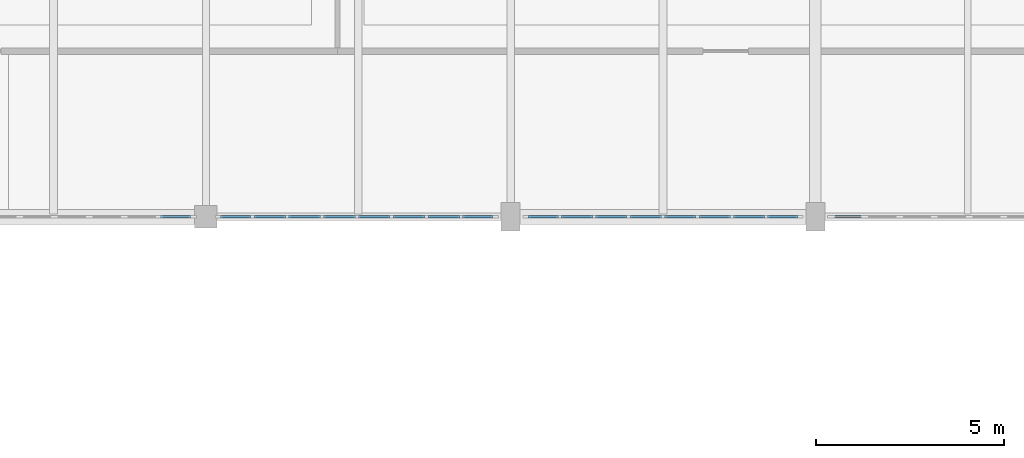
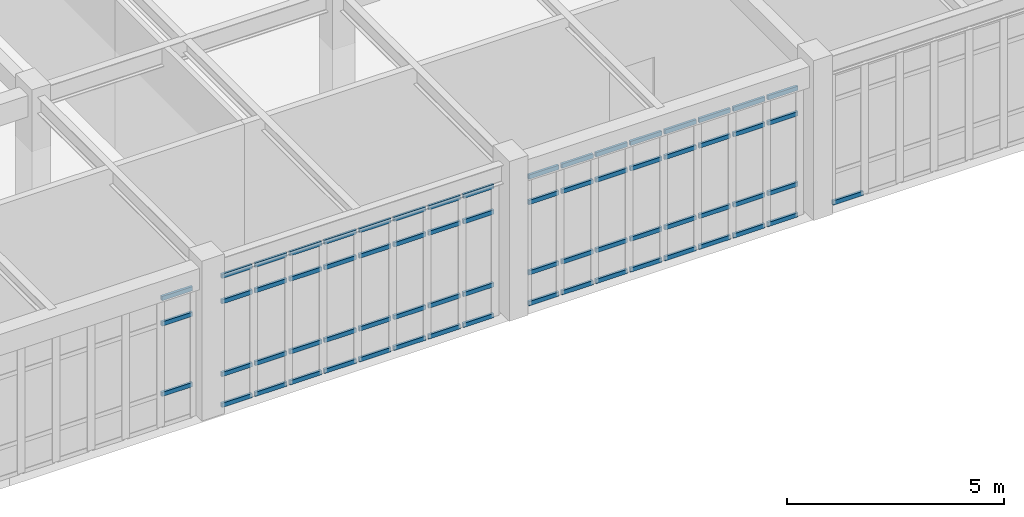
# One storey, part 32 of 67: 68 members, 4 elements without a shape of their own.
"""IFC4 building model written with IfcOpenShell, lengths in metres."""

from ifc_helpers import new_model, si_unit, direction, frame, origin, origin_2d, place, context, subcontext, project, spatial, rectangle, extrude, material, material_profile, profile_set, type_object, element, aggregate, save


model = new_model("IFC4")

# Units and contexts
model_context = context("Model", 3, precision=1e-05, world=origin(), true_north=direction((0.0, 1.0)))
body_context = subcontext(model_context, "Body", "Model", "MODEL_VIEW")
ifc_project = project(units=[si_unit("LENGTHUNIT", "METRE"), si_unit("AREAUNIT", "SQUARE_METRE"), si_unit("VOLUMEUNIT", "CUBIC_METRE"), si_unit("PLANEANGLEUNIT", "RADIAN"), si_unit("MASSUNIT", "GRAM", prefix="KILO")], contexts=[model_context])

# Site, building, storey
site_placement = place(None, origin())
site = spatial("IfcSite", under=ifc_project, at=site_placement, CompositionType="ELEMENT")
building_placement = place(site_placement, origin())
building = spatial("IfcBuilding", under=site, at=building_placement, Name="Tarnveldt Square Police Headquarters", CompositionType="ELEMENT")
storey_placement = place(building_placement, frame((0.0, 0.0, 10.199951171875)))
storey = spatial("IfcBuildingStorey", under=building, at=storey_placement, Name="L02", CompositionType="ELEMENT", Elevation=10.199951171875)

# Curtain wall, members
ifc_material_1 = material(Name="Triple-glazed low-e laminated vision glass", Category="glass")
curtain_wall_type_1 = type_object("IfcCurtainWallType", Name="CW-LB-742x363", PredefinedType="USERDEFINED", material=ifc_material_1)
curtain_wall_1_placement = place(storey_placement, origin())
curtain_wall_1 = element("IfcCurtainWall", 1, at=curtain_wall_1_placement, inside=storey, type_object=curtain_wall_type_1, Name="L02 Curtain Wall CW-L02-115", ObjectType="GLAZED CURTAIN WALL", PredefinedType="USERDEFINED")
ifc_material_2 = material(Name="Thermally broken anodised aluminium 6063-T6", Category="aluminium")
ifc_material_profile = material_profile(ifc_material_2, rectangle(XDim=0.06494140625, YDim=0.1201171875, at=origin_2d()), Name="CW-T65x120")
ifc_profile_set = profile_set([ifc_material_profile], Name="Thermally broken anodised aluminium 6063-T6")
member_type = type_object("IfcMemberType", Name="CWT-65x120", PredefinedType="USERDEFINED", material=ifc_profile_set)
member_1_placement = place(storey_placement, frame((79.794921875, 96.0, 0.900146484375), z_axis=(1.0, 0.0, 0.0), x_axis=(0.0, 1.0, 0.0)))
member_1 = element("IfcMember", 2, at=member_1_placement, type_object=member_type, Name="CW-LB67 transom 8.2", ObjectType="TRANSOM", PredefinedType="USERDEFINED", context=body_context, shape_type="SweptSolid", body=[
    extrude(rectangle(XDim=0.06494140625, YDim=0.1201171875, at=origin_2d()), origin(), (0.0, 0.0, 1.0), 0.815185546875),
])
member_2_placement = place(storey_placement, frame((79.794921875, 96.0, 2.882080078125), z_axis=(1.0, 0.0, 0.0), x_axis=(0.0, 1.0, 0.0)))
member_2 = element("IfcMember", 3, at=member_2_placement, type_object=member_type, Name="CW-LB67 transom 8.3", ObjectType="TRANSOM", PredefinedType="USERDEFINED", context=body_context, shape_type="SweptSolid", body=[
    extrude(rectangle(XDim=0.06494140625, YDim=0.1201171875, at=origin_2d()), origin(), (0.0, 0.0, 1.0), 0.815185546875),
])
member_3_placement = place(storey_placement, frame((79.794921875, 96.0, 3.599609375), z_axis=(1.0, 0.0, 0.0), x_axis=(0.0, 1.0, 0.0)))
member_3 = element("IfcMember", 4, at=member_3_placement, type_object=member_type, Name="CW-LB67 transom 8.4", ObjectType="TRANSOM", PredefinedType="USERDEFINED", context=body_context, shape_type="SweptSolid", body=[
    extrude(rectangle(XDim=0.06494140625, YDim=0.1201171875, at=origin_2d()), origin(), (0.0, 0.0, 1.0), 0.815185546875),
])
aggregate(curtain_wall_1, [member_1, member_2, member_3])

curtain_wall_type_2 = type_object("IfcCurtainWallType", Name="CW-LB-739x370", PredefinedType="USERDEFINED", material=ifc_material_1)
curtain_wall_2_placement = place(storey_placement, origin())
curtain_wall_2 = element("IfcCurtainWall", 5, at=curtain_wall_2_placement, inside=storey, type_object=curtain_wall_type_2, Name="L02 Curtain Wall CW-L02-116", ObjectType="GLAZED CURTAIN WALL", PredefinedType="USERDEFINED")
member_4_placement = place(storey_placement, frame((81.389892578125, 96.0, 0.032470703125), z_axis=(1.0, 0.0, 0.0), x_axis=(0.0, 1.0, 0.0)))
member_4 = element("IfcMember", 6, at=member_4_placement, type_object=member_type, Name="CW-LB68 transom 1.1", ObjectType="TRANSOM", PredefinedType="USERDEFINED", context=body_context, shape_type="SweptSolid", body=[
    extrude(rectangle(XDim=0.06494140625, YDim=0.1201171875, at=origin_2d()), origin(), (0.0, 0.0, 1.0), 0.81201171875),
])
member_5_placement = place(storey_placement, frame((81.389892578125, 96.0, 0.900146484375), z_axis=(1.0, 0.0, 0.0), x_axis=(0.0, 1.0, 0.0)))
member_5 = element("IfcMember", 7, at=member_5_placement, type_object=member_type, Name="CW-LB68 transom 1.2", ObjectType="TRANSOM", PredefinedType="USERDEFINED", context=body_context, shape_type="SweptSolid", body=[
    extrude(rectangle(XDim=0.06494140625, YDim=0.1201171875, at=origin_2d()), origin(), (0.0, 0.0, 1.0), 0.81201171875),
])
member_6_placement = place(storey_placement, frame((81.389892578125, 96.0, 2.948974609375), z_axis=(1.0, 0.0, 0.0), x_axis=(0.0, 1.0, 0.0)))
member_6 = element("IfcMember", 8, at=member_6_placement, type_object=member_type, Name="CW-LB68 transom 1.3", ObjectType="TRANSOM", PredefinedType="USERDEFINED", context=body_context, shape_type="SweptSolid", body=[
    extrude(rectangle(XDim=0.06494140625, YDim=0.1201171875, at=origin_2d()), origin(), (0.0, 0.0, 1.0), 0.81201171875),
])
member_7_placement = place(storey_placement, frame((81.389892578125, 96.0, 3.66650390625), z_axis=(1.0, 0.0, 0.0), x_axis=(0.0, 1.0, 0.0)))
member_7 = element("IfcMember", 9, at=member_7_placement, type_object=member_type, Name="CW-LB68 transom 1.4", ObjectType="TRANSOM", PredefinedType="USERDEFINED", context=body_context, shape_type="SweptSolid", body=[
    extrude(rectangle(XDim=0.06494140625, YDim=0.1201171875, at=origin_2d()), origin(), (0.0, 0.0, 1.0), 0.81201171875),
])
member_8_placement = place(storey_placement, frame((82.27685546875, 96.0, 0.032470703125), z_axis=(1.0, 0.0, 0.0), x_axis=(0.0, 1.0, 0.0)))
member_8 = element("IfcMember", 10, at=member_8_placement, type_object=member_type, Name="CW-LB68 transom 2.1", ObjectType="TRANSOM", PredefinedType="USERDEFINED", context=body_context, shape_type="SweptSolid", body=[
    extrude(rectangle(XDim=0.06494140625, YDim=0.1201171875, at=origin_2d()), origin(), (0.0, 0.0, 1.0), 0.849365234375),
])
member_9_placement = place(storey_placement, frame((82.27685546875, 96.0, 0.900146484375), z_axis=(1.0, 0.0, 0.0), x_axis=(0.0, 1.0, 0.0)))
member_9 = element("IfcMember", 11, at=member_9_placement, type_object=member_type, Name="CW-LB68 transom 2.2", ObjectType="TRANSOM", PredefinedType="USERDEFINED", context=body_context, shape_type="SweptSolid", body=[
    extrude(rectangle(XDim=0.06494140625, YDim=0.1201171875, at=origin_2d()), origin(), (0.0, 0.0, 1.0), 0.849365234375),
])
member_10_placement = place(storey_placement, frame((82.27685546875, 96.0, 2.948974609375), z_axis=(1.0, 0.0, 0.0), x_axis=(0.0, 1.0, 0.0)))
member_10 = element("IfcMember", 12, at=member_10_placement, type_object=member_type, Name="CW-LB68 transom 2.3", ObjectType="TRANSOM", PredefinedType="USERDEFINED", context=body_context, shape_type="SweptSolid", body=[
    extrude(rectangle(XDim=0.06494140625, YDim=0.1201171875, at=origin_2d()), origin(), (0.0, 0.0, 1.0), 0.849365234375),
])
member_11_placement = place(storey_placement, frame((82.27685546875, 96.0, 3.66650390625), z_axis=(1.0, 0.0, 0.0), x_axis=(0.0, 1.0, 0.0)))
member_11 = element("IfcMember", 13, at=member_11_placement, type_object=member_type, Name="CW-LB68 transom 2.4", ObjectType="TRANSOM", PredefinedType="USERDEFINED", context=body_context, shape_type="SweptSolid", body=[
    extrude(rectangle(XDim=0.06494140625, YDim=0.1201171875, at=origin_2d()), origin(), (0.0, 0.0, 1.0), 0.849365234375),
])
member_12_placement = place(storey_placement, frame((83.201171875, 96.0, 0.032470703125), z_axis=(1.0, 0.0, 0.0), x_axis=(0.0, 1.0, 0.0)))
member_12 = element("IfcMember", 14, at=member_12_placement, type_object=member_type, Name="CW-LB68 transom 3.1", ObjectType="TRANSOM", PredefinedType="USERDEFINED", context=body_context, shape_type="SweptSolid", body=[
    extrude(rectangle(XDim=0.06494140625, YDim=0.1201171875, at=origin_2d()), origin(), (0.0, 0.0, 1.0), 0.849365234375),
])
member_13_placement = place(storey_placement, frame((83.201171875, 96.0, 0.900146484375), z_axis=(1.0, 0.0, 0.0), x_axis=(0.0, 1.0, 0.0)))
member_13 = element("IfcMember", 15, at=member_13_placement, type_object=member_type, Name="CW-LB68 transom 3.2", ObjectType="TRANSOM", PredefinedType="USERDEFINED", context=body_context, shape_type="SweptSolid", body=[
    extrude(rectangle(XDim=0.06494140625, YDim=0.1201171875, at=origin_2d()), origin(), (0.0, 0.0, 1.0), 0.849365234375),
])
member_14_placement = place(storey_placement, frame((83.201171875, 96.0, 2.948974609375), z_axis=(1.0, 0.0, 0.0), x_axis=(0.0, 1.0, 0.0)))
member_14 = element("IfcMember", 16, at=member_14_placement, type_object=member_type, Name="CW-LB68 transom 3.3", ObjectType="TRANSOM", PredefinedType="USERDEFINED", context=body_context, shape_type="SweptSolid", body=[
    extrude(rectangle(XDim=0.06494140625, YDim=0.1201171875, at=origin_2d()), origin(), (0.0, 0.0, 1.0), 0.849365234375),
])
member_15_placement = place(storey_placement, frame((83.201171875, 96.0, 3.66650390625), z_axis=(1.0, 0.0, 0.0), x_axis=(0.0, 1.0, 0.0)))
member_15 = element("IfcMember", 17, at=member_15_placement, type_object=member_type, Name="CW-LB68 transom 3.4", ObjectType="TRANSOM", PredefinedType="USERDEFINED", context=body_context, shape_type="SweptSolid", body=[
    extrude(rectangle(XDim=0.06494140625, YDim=0.1201171875, at=origin_2d()), origin(), (0.0, 0.0, 1.0), 0.849365234375),
])
member_16_placement = place(storey_placement, frame((84.125732421875, 96.0, 0.032470703125), z_axis=(1.0, 0.0, 0.0), x_axis=(0.0, 1.0, 0.0)))
member_16 = element("IfcMember", 18, at=member_16_placement, type_object=member_type, Name="CW-LB68 transom 4.1", ObjectType="TRANSOM", PredefinedType="USERDEFINED", context=body_context, shape_type="SweptSolid", body=[
    extrude(rectangle(XDim=0.06494140625, YDim=0.1201171875, at=origin_2d()), origin(), (0.0, 0.0, 1.0), 0.849365234375),
])
member_17_placement = place(storey_placement, frame((84.125732421875, 96.0, 0.900146484375), z_axis=(1.0, 0.0, 0.0), x_axis=(0.0, 1.0, 0.0)))
member_17 = element("IfcMember", 19, at=member_17_placement, type_object=member_type, Name="CW-LB68 transom 4.2", ObjectType="TRANSOM", PredefinedType="USERDEFINED", context=body_context, shape_type="SweptSolid", body=[
    extrude(rectangle(XDim=0.06494140625, YDim=0.1201171875, at=origin_2d()), origin(), (0.0, 0.0, 1.0), 0.849365234375),
])
member_18_placement = place(storey_placement, frame((84.125732421875, 96.0, 2.948974609375), z_axis=(1.0, 0.0, 0.0), x_axis=(0.0, 1.0, 0.0)))
member_18 = element("IfcMember", 20, at=member_18_placement, type_object=member_type, Name="CW-LB68 transom 4.3", ObjectType="TRANSOM", PredefinedType="USERDEFINED", context=body_context, shape_type="SweptSolid", body=[
    extrude(rectangle(XDim=0.06494140625, YDim=0.1201171875, at=origin_2d()), origin(), (0.0, 0.0, 1.0), 0.849365234375),
])
member_19_placement = place(storey_placement, frame((84.125732421875, 96.0, 3.66650390625), z_axis=(1.0, 0.0, 0.0), x_axis=(0.0, 1.0, 0.0)))
member_19 = element("IfcMember", 21, at=member_19_placement, type_object=member_type, Name="CW-LB68 transom 4.4", ObjectType="TRANSOM", PredefinedType="USERDEFINED", context=body_context, shape_type="SweptSolid", body=[
    extrude(rectangle(XDim=0.06494140625, YDim=0.1201171875, at=origin_2d()), origin(), (0.0, 0.0, 1.0), 0.849365234375),
])
member_20_placement = place(storey_placement, frame((85.050048828125, 96.0, 0.032470703125), z_axis=(1.0, 0.0, 0.0), x_axis=(0.0, 1.0, 0.0)))
member_20 = element("IfcMember", 22, at=member_20_placement, type_object=member_type, Name="CW-LB68 transom 5.1", ObjectType="TRANSOM", PredefinedType="USERDEFINED", context=body_context, shape_type="SweptSolid", body=[
    extrude(rectangle(XDim=0.06494140625, YDim=0.1201171875, at=origin_2d()), origin(), (0.0, 0.0, 1.0), 0.849365234375),
])
member_21_placement = place(storey_placement, frame((85.050048828125, 96.0, 0.900146484375), z_axis=(1.0, 0.0, 0.0), x_axis=(0.0, 1.0, 0.0)))
member_21 = element("IfcMember", 23, at=member_21_placement, type_object=member_type, Name="CW-LB68 transom 5.2", ObjectType="TRANSOM", PredefinedType="USERDEFINED", context=body_context, shape_type="SweptSolid", body=[
    extrude(rectangle(XDim=0.06494140625, YDim=0.1201171875, at=origin_2d()), origin(), (0.0, 0.0, 1.0), 0.849365234375),
])
member_22_placement = place(storey_placement, frame((85.050048828125, 96.0, 2.948974609375), z_axis=(1.0, 0.0, 0.0), x_axis=(0.0, 1.0, 0.0)))
member_22 = element("IfcMember", 24, at=member_22_placement, type_object=member_type, Name="CW-LB68 transom 5.3", ObjectType="TRANSOM", PredefinedType="USERDEFINED", context=body_context, shape_type="SweptSolid", body=[
    extrude(rectangle(XDim=0.06494140625, YDim=0.1201171875, at=origin_2d()), origin(), (0.0, 0.0, 1.0), 0.849365234375),
])
member_23_placement = place(storey_placement, frame((85.050048828125, 96.0, 3.66650390625), z_axis=(1.0, 0.0, 0.0), x_axis=(0.0, 1.0, 0.0)))
member_23 = element("IfcMember", 25, at=member_23_placement, type_object=member_type, Name="CW-LB68 transom 5.4", ObjectType="TRANSOM", PredefinedType="USERDEFINED", context=body_context, shape_type="SweptSolid", body=[
    extrude(rectangle(XDim=0.06494140625, YDim=0.1201171875, at=origin_2d()), origin(), (0.0, 0.0, 1.0), 0.849365234375),
])
member_24_placement = place(storey_placement, frame((85.974365234375, 96.0, 0.032470703125), z_axis=(1.0, 0.0, 0.0), x_axis=(0.0, 1.0, 0.0)))
member_24 = element("IfcMember", 26, at=member_24_placement, type_object=member_type, Name="CW-LB68 transom 6.1", ObjectType="TRANSOM", PredefinedType="USERDEFINED", context=body_context, shape_type="SweptSolid", body=[
    extrude(rectangle(XDim=0.06494140625, YDim=0.1201171875, at=origin_2d()), origin(), (0.0, 0.0, 1.0), 0.849365234375),
])
member_25_placement = place(storey_placement, frame((85.974365234375, 96.0, 0.900146484375), z_axis=(1.0, 0.0, 0.0), x_axis=(0.0, 1.0, 0.0)))
member_25 = element("IfcMember", 27, at=member_25_placement, type_object=member_type, Name="CW-LB68 transom 6.2", ObjectType="TRANSOM", PredefinedType="USERDEFINED", context=body_context, shape_type="SweptSolid", body=[
    extrude(rectangle(XDim=0.06494140625, YDim=0.1201171875, at=origin_2d()), origin(), (0.0, 0.0, 1.0), 0.849365234375),
])
member_26_placement = place(storey_placement, frame((85.974365234375, 96.0, 2.948974609375), z_axis=(1.0, 0.0, 0.0), x_axis=(0.0, 1.0, 0.0)))
member_26 = element("IfcMember", 28, at=member_26_placement, type_object=member_type, Name="CW-LB68 transom 6.3", ObjectType="TRANSOM", PredefinedType="USERDEFINED", context=body_context, shape_type="SweptSolid", body=[
    extrude(rectangle(XDim=0.06494140625, YDim=0.1201171875, at=origin_2d()), origin(), (0.0, 0.0, 1.0), 0.849365234375),
])
member_27_placement = place(storey_placement, frame((85.974365234375, 96.0, 3.66650390625), z_axis=(1.0, 0.0, 0.0), x_axis=(0.0, 1.0, 0.0)))
member_27 = element("IfcMember", 29, at=member_27_placement, type_object=member_type, Name="CW-LB68 transom 6.4", ObjectType="TRANSOM", PredefinedType="USERDEFINED", context=body_context, shape_type="SweptSolid", body=[
    extrude(rectangle(XDim=0.06494140625, YDim=0.1201171875, at=origin_2d()), origin(), (0.0, 0.0, 1.0), 0.849365234375),
])
member_28_placement = place(storey_placement, frame((86.898681640625, 96.0, 0.032470703125), z_axis=(1.0, 0.0, 0.0), x_axis=(0.0, 1.0, 0.0)))
member_28 = element("IfcMember", 30, at=member_28_placement, type_object=member_type, Name="CW-LB68 transom 7.1", ObjectType="TRANSOM", PredefinedType="USERDEFINED", context=body_context, shape_type="SweptSolid", body=[
    extrude(rectangle(XDim=0.06494140625, YDim=0.1201171875, at=origin_2d()), origin(), (0.0, 0.0, 1.0), 0.849365234375),
])
member_29_placement = place(storey_placement, frame((86.898681640625, 96.0, 0.900146484375), z_axis=(1.0, 0.0, 0.0), x_axis=(0.0, 1.0, 0.0)))
member_29 = element("IfcMember", 31, at=member_29_placement, type_object=member_type, Name="CW-LB68 transom 7.2", ObjectType="TRANSOM", PredefinedType="USERDEFINED", context=body_context, shape_type="SweptSolid", body=[
    extrude(rectangle(XDim=0.06494140625, YDim=0.1201171875, at=origin_2d()), origin(), (0.0, 0.0, 1.0), 0.849365234375),
])
member_30_placement = place(storey_placement, frame((86.898681640625, 96.0, 2.948974609375), z_axis=(1.0, 0.0, 0.0), x_axis=(0.0, 1.0, 0.0)))
member_30 = element("IfcMember", 32, at=member_30_placement, type_object=member_type, Name="CW-LB68 transom 7.3", ObjectType="TRANSOM", PredefinedType="USERDEFINED", context=body_context, shape_type="SweptSolid", body=[
    extrude(rectangle(XDim=0.06494140625, YDim=0.1201171875, at=origin_2d()), origin(), (0.0, 0.0, 1.0), 0.849365234375),
])
member_31_placement = place(storey_placement, frame((86.898681640625, 96.0, 3.66650390625), z_axis=(1.0, 0.0, 0.0), x_axis=(0.0, 1.0, 0.0)))
member_31 = element("IfcMember", 33, at=member_31_placement, type_object=member_type, Name="CW-LB68 transom 7.4", ObjectType="TRANSOM", PredefinedType="USERDEFINED", context=body_context, shape_type="SweptSolid", body=[
    extrude(rectangle(XDim=0.06494140625, YDim=0.1201171875, at=origin_2d()), origin(), (0.0, 0.0, 1.0), 0.849365234375),
])
member_32_placement = place(storey_placement, frame((87.8232421875, 96.0, 0.032470703125), z_axis=(1.0, 0.0, 0.0), x_axis=(0.0, 1.0, 0.0)))
member_32 = element("IfcMember", 34, at=member_32_placement, type_object=member_type, Name="CW-LB68 transom 8.1", ObjectType="TRANSOM", PredefinedType="USERDEFINED", context=body_context, shape_type="SweptSolid", body=[
    extrude(rectangle(XDim=0.06494140625, YDim=0.1201171875, at=origin_2d()), origin(), (0.0, 0.0, 1.0), 0.811767578125),
])
member_33_placement = place(storey_placement, frame((87.8232421875, 96.0, 0.900146484375), z_axis=(1.0, 0.0, 0.0), x_axis=(0.0, 1.0, 0.0)))
member_33 = element("IfcMember", 35, at=member_33_placement, type_object=member_type, Name="CW-LB68 transom 8.2", ObjectType="TRANSOM", PredefinedType="USERDEFINED", context=body_context, shape_type="SweptSolid", body=[
    extrude(rectangle(XDim=0.06494140625, YDim=0.1201171875, at=origin_2d()), origin(), (0.0, 0.0, 1.0), 0.811767578125),
])
member_34_placement = place(storey_placement, frame((87.8232421875, 96.0, 2.948974609375), z_axis=(1.0, 0.0, 0.0), x_axis=(0.0, 1.0, 0.0)))
member_34 = element("IfcMember", 36, at=member_34_placement, type_object=member_type, Name="CW-LB68 transom 8.3", ObjectType="TRANSOM", PredefinedType="USERDEFINED", context=body_context, shape_type="SweptSolid", body=[
    extrude(rectangle(XDim=0.06494140625, YDim=0.1201171875, at=origin_2d()), origin(), (0.0, 0.0, 1.0), 0.811767578125),
])
member_35_placement = place(storey_placement, frame((87.8232421875, 96.0, 3.66650390625), z_axis=(1.0, 0.0, 0.0), x_axis=(0.0, 1.0, 0.0)))
member_35 = element("IfcMember", 37, at=member_35_placement, type_object=member_type, Name="CW-LB68 transom 8.4", ObjectType="TRANSOM", PredefinedType="USERDEFINED", context=body_context, shape_type="SweptSolid", body=[
    extrude(rectangle(XDim=0.06494140625, YDim=0.1201171875, at=origin_2d()), origin(), (0.0, 0.0, 1.0), 0.811767578125),
])
aggregate(curtain_wall_2, [member_4, member_5, member_6, member_7, member_8, member_9, member_10, member_11, member_12, member_13, member_14, member_15, member_16, member_17, member_18, member_19, member_20, member_21, member_22, member_23, member_24, member_25, member_26, member_27, member_28, member_29, member_30, member_31, member_32, member_33, member_34, member_35])

curtain_wall_type_3 = type_object("IfcCurtainWallType", Name="CW-LB-732x363", PredefinedType="USERDEFINED", material=ifc_material_1)
curtain_wall_3_placement = place(storey_placement, origin())
curtain_wall_3 = element("IfcCurtainWall", 38, at=curtain_wall_3_placement, inside=storey, type_object=curtain_wall_type_3, Name="L02 Curtain Wall CW-L02-117", ObjectType="GLAZED CURTAIN WALL", PredefinedType="USERDEFINED")
member_36_placement = place(storey_placement, frame((89.56494140625, 96.0, 0.032470703125), z_axis=(1.0, 0.0, 0.0), x_axis=(0.0, 1.0, 0.0)))
member_36 = element("IfcMember", 39, at=member_36_placement, type_object=member_type, Name="CW-LB69 transom 1.1", ObjectType="TRANSOM", PredefinedType="USERDEFINED", context=body_context, shape_type="SweptSolid", body=[
    extrude(rectangle(XDim=0.06494140625, YDim=0.1201171875, at=origin_2d()), origin(), (0.0, 0.0, 1.0), 0.802490234375),
])
member_37_placement = place(storey_placement, frame((89.56494140625, 96.0, 0.900146484375), z_axis=(1.0, 0.0, 0.0), x_axis=(0.0, 1.0, 0.0)))
member_37 = element("IfcMember", 40, at=member_37_placement, type_object=member_type, Name="CW-LB69 transom 1.2", ObjectType="TRANSOM", PredefinedType="USERDEFINED", context=body_context, shape_type="SweptSolid", body=[
    extrude(rectangle(XDim=0.06494140625, YDim=0.1201171875, at=origin_2d()), origin(), (0.0, 0.0, 1.0), 0.802490234375),
])
member_38_placement = place(storey_placement, frame((89.56494140625, 96.0, 2.882080078125), z_axis=(1.0, 0.0, 0.0), x_axis=(0.0, 1.0, 0.0)))
member_38 = element("IfcMember", 41, at=member_38_placement, type_object=member_type, Name="CW-LB69 transom 1.3", ObjectType="TRANSOM", PredefinedType="USERDEFINED", context=body_context, shape_type="SweptSolid", body=[
    extrude(rectangle(XDim=0.06494140625, YDim=0.1201171875, at=origin_2d()), origin(), (0.0, 0.0, 1.0), 0.802490234375),
])
member_39_placement = place(storey_placement, frame((89.56494140625, 96.0, 3.599609375), z_axis=(1.0, 0.0, 0.0), x_axis=(0.0, 1.0, 0.0)))
member_39 = element("IfcMember", 42, at=member_39_placement, type_object=member_type, Name="CW-LB69 transom 1.4", ObjectType="TRANSOM", PredefinedType="USERDEFINED", context=body_context, shape_type="SweptSolid", body=[
    extrude(rectangle(XDim=0.06494140625, YDim=0.1201171875, at=origin_2d()), origin(), (0.0, 0.0, 1.0), 0.802490234375),
])
member_40_placement = place(storey_placement, frame((90.4423828125, 96.0, 0.032470703125), z_axis=(1.0, 0.0, 0.0), x_axis=(0.0, 1.0, 0.0)))
member_40 = element("IfcMember", 43, at=member_40_placement, type_object=member_type, Name="CW-LB69 transom 2.1", ObjectType="TRANSOM", PredefinedType="USERDEFINED", context=body_context, shape_type="SweptSolid", body=[
    extrude(rectangle(XDim=0.06494140625, YDim=0.1201171875, at=origin_2d()), origin(), (0.0, 0.0, 1.0), 0.840087890625),
])
member_41_placement = place(storey_placement, frame((90.4423828125, 96.0, 0.900146484375), z_axis=(1.0, 0.0, 0.0), x_axis=(0.0, 1.0, 0.0)))
member_41 = element("IfcMember", 44, at=member_41_placement, type_object=member_type, Name="CW-LB69 transom 2.2", ObjectType="TRANSOM", PredefinedType="USERDEFINED", context=body_context, shape_type="SweptSolid", body=[
    extrude(rectangle(XDim=0.06494140625, YDim=0.1201171875, at=origin_2d()), origin(), (0.0, 0.0, 1.0), 0.840087890625),
])
member_42_placement = place(storey_placement, frame((90.4423828125, 96.0, 2.882080078125), z_axis=(1.0, 0.0, 0.0), x_axis=(0.0, 1.0, 0.0)))
member_42 = element("IfcMember", 45, at=member_42_placement, type_object=member_type, Name="CW-LB69 transom 2.3", ObjectType="TRANSOM", PredefinedType="USERDEFINED", context=body_context, shape_type="SweptSolid", body=[
    extrude(rectangle(XDim=0.06494140625, YDim=0.1201171875, at=origin_2d()), origin(), (0.0, 0.0, 1.0), 0.840087890625),
])
member_43_placement = place(storey_placement, frame((90.4423828125, 96.0, 3.599609375), z_axis=(1.0, 0.0, 0.0), x_axis=(0.0, 1.0, 0.0)))
member_43 = element("IfcMember", 46, at=member_43_placement, type_object=member_type, Name="CW-LB69 transom 2.4", ObjectType="TRANSOM", PredefinedType="USERDEFINED", context=body_context, shape_type="SweptSolid", body=[
    extrude(rectangle(XDim=0.06494140625, YDim=0.1201171875, at=origin_2d()), origin(), (0.0, 0.0, 1.0), 0.840087890625),
])
member_44_placement = place(storey_placement, frame((91.357421875, 96.0, 0.032470703125), z_axis=(1.0, 0.0, 0.0), x_axis=(0.0, 1.0, 0.0)))
member_44 = element("IfcMember", 47, at=member_44_placement, type_object=member_type, Name="CW-LB69 transom 3.1", ObjectType="TRANSOM", PredefinedType="USERDEFINED", context=body_context, shape_type="SweptSolid", body=[
    extrude(rectangle(XDim=0.06494140625, YDim=0.1201171875, at=origin_2d()), origin(), (0.0, 0.0, 1.0), 0.840087890625),
])
member_45_placement = place(storey_placement, frame((91.357421875, 96.0, 0.900146484375), z_axis=(1.0, 0.0, 0.0), x_axis=(0.0, 1.0, 0.0)))
member_45 = element("IfcMember", 48, at=member_45_placement, type_object=member_type, Name="CW-LB69 transom 3.2", ObjectType="TRANSOM", PredefinedType="USERDEFINED", context=body_context, shape_type="SweptSolid", body=[
    extrude(rectangle(XDim=0.06494140625, YDim=0.1201171875, at=origin_2d()), origin(), (0.0, 0.0, 1.0), 0.840087890625),
])
member_46_placement = place(storey_placement, frame((91.357421875, 96.0, 2.882080078125), z_axis=(1.0, 0.0, 0.0), x_axis=(0.0, 1.0, 0.0)))
member_46 = element("IfcMember", 49, at=member_46_placement, type_object=member_type, Name="CW-LB69 transom 3.3", ObjectType="TRANSOM", PredefinedType="USERDEFINED", context=body_context, shape_type="SweptSolid", body=[
    extrude(rectangle(XDim=0.06494140625, YDim=0.1201171875, at=origin_2d()), origin(), (0.0, 0.0, 1.0), 0.840087890625),
])
member_47_placement = place(storey_placement, frame((91.357421875, 96.0, 3.599609375), z_axis=(1.0, 0.0, 0.0), x_axis=(0.0, 1.0, 0.0)))
member_47 = element("IfcMember", 50, at=member_47_placement, type_object=member_type, Name="CW-LB69 transom 3.4", ObjectType="TRANSOM", PredefinedType="USERDEFINED", context=body_context, shape_type="SweptSolid", body=[
    extrude(rectangle(XDim=0.06494140625, YDim=0.1201171875, at=origin_2d()), origin(), (0.0, 0.0, 1.0), 0.840087890625),
])
member_48_placement = place(storey_placement, frame((92.2724609375, 96.0, 0.032470703125), z_axis=(1.0, 0.0, 0.0), x_axis=(0.0, 1.0, 0.0)))
member_48 = element("IfcMember", 51, at=member_48_placement, type_object=member_type, Name="CW-LB69 transom 4.1", ObjectType="TRANSOM", PredefinedType="USERDEFINED", context=body_context, shape_type="SweptSolid", body=[
    extrude(rectangle(XDim=0.06494140625, YDim=0.1201171875, at=origin_2d()), origin(), (0.0, 0.0, 1.0), 0.840087890625),
])
member_49_placement = place(storey_placement, frame((92.2724609375, 96.0, 0.900146484375), z_axis=(1.0, 0.0, 0.0), x_axis=(0.0, 1.0, 0.0)))
member_49 = element("IfcMember", 52, at=member_49_placement, type_object=member_type, Name="CW-LB69 transom 4.2", ObjectType="TRANSOM", PredefinedType="USERDEFINED", context=body_context, shape_type="SweptSolid", body=[
    extrude(rectangle(XDim=0.06494140625, YDim=0.1201171875, at=origin_2d()), origin(), (0.0, 0.0, 1.0), 0.840087890625),
])
member_50_placement = place(storey_placement, frame((92.2724609375, 96.0, 2.882080078125), z_axis=(1.0, 0.0, 0.0), x_axis=(0.0, 1.0, 0.0)))
member_50 = element("IfcMember", 53, at=member_50_placement, type_object=member_type, Name="CW-LB69 transom 4.3", ObjectType="TRANSOM", PredefinedType="USERDEFINED", context=body_context, shape_type="SweptSolid", body=[
    extrude(rectangle(XDim=0.06494140625, YDim=0.1201171875, at=origin_2d()), origin(), (0.0, 0.0, 1.0), 0.840087890625),
])
member_51_placement = place(storey_placement, frame((92.2724609375, 96.0, 3.599609375), z_axis=(1.0, 0.0, 0.0), x_axis=(0.0, 1.0, 0.0)))
member_51 = element("IfcMember", 54, at=member_51_placement, type_object=member_type, Name="CW-LB69 transom 4.4", ObjectType="TRANSOM", PredefinedType="USERDEFINED", context=body_context, shape_type="SweptSolid", body=[
    extrude(rectangle(XDim=0.06494140625, YDim=0.1201171875, at=origin_2d()), origin(), (0.0, 0.0, 1.0), 0.840087890625),
])
member_52_placement = place(storey_placement, frame((93.1875, 96.0, 0.032470703125), z_axis=(1.0, 0.0, 0.0), x_axis=(0.0, 1.0, 0.0)))
member_52 = element("IfcMember", 55, at=member_52_placement, type_object=member_type, Name="CW-LB69 transom 5.1", ObjectType="TRANSOM", PredefinedType="USERDEFINED", context=body_context, shape_type="SweptSolid", body=[
    extrude(rectangle(XDim=0.06494140625, YDim=0.1201171875, at=origin_2d()), origin(), (0.0, 0.0, 1.0), 0.840087890625),
])
member_53_placement = place(storey_placement, frame((93.1875, 96.0, 0.900146484375), z_axis=(1.0, 0.0, 0.0), x_axis=(0.0, 1.0, 0.0)))
member_53 = element("IfcMember", 56, at=member_53_placement, type_object=member_type, Name="CW-LB69 transom 5.2", ObjectType="TRANSOM", PredefinedType="USERDEFINED", context=body_context, shape_type="SweptSolid", body=[
    extrude(rectangle(XDim=0.06494140625, YDim=0.1201171875, at=origin_2d()), origin(), (0.0, 0.0, 1.0), 0.840087890625),
])
member_54_placement = place(storey_placement, frame((93.1875, 96.0, 2.882080078125), z_axis=(1.0, 0.0, 0.0), x_axis=(0.0, 1.0, 0.0)))
member_54 = element("IfcMember", 57, at=member_54_placement, type_object=member_type, Name="CW-LB69 transom 5.3", ObjectType="TRANSOM", PredefinedType="USERDEFINED", context=body_context, shape_type="SweptSolid", body=[
    extrude(rectangle(XDim=0.06494140625, YDim=0.1201171875, at=origin_2d()), origin(), (0.0, 0.0, 1.0), 0.840087890625),
])
member_55_placement = place(storey_placement, frame((93.1875, 96.0, 3.599609375), z_axis=(1.0, 0.0, 0.0), x_axis=(0.0, 1.0, 0.0)))
member_55 = element("IfcMember", 58, at=member_55_placement, type_object=member_type, Name="CW-LB69 transom 5.4", ObjectType="TRANSOM", PredefinedType="USERDEFINED", context=body_context, shape_type="SweptSolid", body=[
    extrude(rectangle(XDim=0.06494140625, YDim=0.1201171875, at=origin_2d()), origin(), (0.0, 0.0, 1.0), 0.840087890625),
])
member_56_placement = place(storey_placement, frame((94.1025390625, 96.0, 0.032470703125), z_axis=(1.0, 0.0, 0.0), x_axis=(0.0, 1.0, 0.0)))
member_56 = element("IfcMember", 59, at=member_56_placement, type_object=member_type, Name="CW-LB69 transom 6.1", ObjectType="TRANSOM", PredefinedType="USERDEFINED", context=body_context, shape_type="SweptSolid", body=[
    extrude(rectangle(XDim=0.06494140625, YDim=0.1201171875, at=origin_2d()), origin(), (0.0, 0.0, 1.0), 0.83984375),
])
member_57_placement = place(storey_placement, frame((94.1025390625, 96.0, 0.900146484375), z_axis=(1.0, 0.0, 0.0), x_axis=(0.0, 1.0, 0.0)))
member_57 = element("IfcMember", 60, at=member_57_placement, type_object=member_type, Name="CW-LB69 transom 6.2", ObjectType="TRANSOM", PredefinedType="USERDEFINED", context=body_context, shape_type="SweptSolid", body=[
    extrude(rectangle(XDim=0.06494140625, YDim=0.1201171875, at=origin_2d()), origin(), (0.0, 0.0, 1.0), 0.83984375),
])
member_58_placement = place(storey_placement, frame((94.1025390625, 96.0, 2.882080078125), z_axis=(1.0, 0.0, 0.0), x_axis=(0.0, 1.0, 0.0)))
member_58 = element("IfcMember", 61, at=member_58_placement, type_object=member_type, Name="CW-LB69 transom 6.3", ObjectType="TRANSOM", PredefinedType="USERDEFINED", context=body_context, shape_type="SweptSolid", body=[
    extrude(rectangle(XDim=0.06494140625, YDim=0.1201171875, at=origin_2d()), origin(), (0.0, 0.0, 1.0), 0.83984375),
])
member_59_placement = place(storey_placement, frame((94.1025390625, 96.0, 3.599609375), z_axis=(1.0, 0.0, 0.0), x_axis=(0.0, 1.0, 0.0)))
member_59 = element("IfcMember", 62, at=member_59_placement, type_object=member_type, Name="CW-LB69 transom 6.4", ObjectType="TRANSOM", PredefinedType="USERDEFINED", context=body_context, shape_type="SweptSolid", body=[
    extrude(rectangle(XDim=0.06494140625, YDim=0.1201171875, at=origin_2d()), origin(), (0.0, 0.0, 1.0), 0.83984375),
])
member_60_placement = place(storey_placement, frame((95.017578125, 96.0, 0.032470703125), z_axis=(1.0, 0.0, 0.0), x_axis=(0.0, 1.0, 0.0)))
member_60 = element("IfcMember", 63, at=member_60_placement, type_object=member_type, Name="CW-LB69 transom 7.1", ObjectType="TRANSOM", PredefinedType="USERDEFINED", context=body_context, shape_type="SweptSolid", body=[
    extrude(rectangle(XDim=0.06494140625, YDim=0.1201171875, at=origin_2d()), origin(), (0.0, 0.0, 1.0), 0.83984375),
])
member_61_placement = place(storey_placement, frame((95.017578125, 96.0, 0.900146484375), z_axis=(1.0, 0.0, 0.0), x_axis=(0.0, 1.0, 0.0)))
member_61 = element("IfcMember", 64, at=member_61_placement, type_object=member_type, Name="CW-LB69 transom 7.2", ObjectType="TRANSOM", PredefinedType="USERDEFINED", context=body_context, shape_type="SweptSolid", body=[
    extrude(rectangle(XDim=0.06494140625, YDim=0.1201171875, at=origin_2d()), origin(), (0.0, 0.0, 1.0), 0.83984375),
])
member_62_placement = place(storey_placement, frame((95.017578125, 96.0, 2.882080078125), z_axis=(1.0, 0.0, 0.0), x_axis=(0.0, 1.0, 0.0)))
member_62 = element("IfcMember", 65, at=member_62_placement, type_object=member_type, Name="CW-LB69 transom 7.3", ObjectType="TRANSOM", PredefinedType="USERDEFINED", context=body_context, shape_type="SweptSolid", body=[
    extrude(rectangle(XDim=0.06494140625, YDim=0.1201171875, at=origin_2d()), origin(), (0.0, 0.0, 1.0), 0.83984375),
])
member_63_placement = place(storey_placement, frame((95.017578125, 96.0, 3.599609375), z_axis=(1.0, 0.0, 0.0), x_axis=(0.0, 1.0, 0.0)))
member_63 = element("IfcMember", 66, at=member_63_placement, type_object=member_type, Name="CW-LB69 transom 7.4", ObjectType="TRANSOM", PredefinedType="USERDEFINED", context=body_context, shape_type="SweptSolid", body=[
    extrude(rectangle(XDim=0.06494140625, YDim=0.1201171875, at=origin_2d()), origin(), (0.0, 0.0, 1.0), 0.83984375),
])
member_64_placement = place(storey_placement, frame((95.9326171875, 96.0, 0.032470703125), z_axis=(1.0, 0.0, 0.0), x_axis=(0.0, 1.0, 0.0)))
member_64 = element("IfcMember", 67, at=member_64_placement, type_object=member_type, Name="CW-LB69 transom 8.1", ObjectType="TRANSOM", PredefinedType="USERDEFINED", context=body_context, shape_type="SweptSolid", body=[
    extrude(rectangle(XDim=0.06494140625, YDim=0.1201171875, at=origin_2d()), origin(), (0.0, 0.0, 1.0), 0.802490234375),
])
member_65_placement = place(storey_placement, frame((95.9326171875, 96.0, 0.900146484375), z_axis=(1.0, 0.0, 0.0), x_axis=(0.0, 1.0, 0.0)))
member_65 = element("IfcMember", 68, at=member_65_placement, type_object=member_type, Name="CW-LB69 transom 8.2", ObjectType="TRANSOM", PredefinedType="USERDEFINED", context=body_context, shape_type="SweptSolid", body=[
    extrude(rectangle(XDim=0.06494140625, YDim=0.1201171875, at=origin_2d()), origin(), (0.0, 0.0, 1.0), 0.802490234375),
])
member_66_placement = place(storey_placement, frame((95.9326171875, 96.0, 2.882080078125), z_axis=(1.0, 0.0, 0.0), x_axis=(0.0, 1.0, 0.0)))
member_66 = element("IfcMember", 69, at=member_66_placement, type_object=member_type, Name="CW-LB69 transom 8.3", ObjectType="TRANSOM", PredefinedType="USERDEFINED", context=body_context, shape_type="SweptSolid", body=[
    extrude(rectangle(XDim=0.06494140625, YDim=0.1201171875, at=origin_2d()), origin(), (0.0, 0.0, 1.0), 0.802490234375),
])
member_67_placement = place(storey_placement, frame((95.9326171875, 96.0, 3.599609375), z_axis=(1.0, 0.0, 0.0), x_axis=(0.0, 1.0, 0.0)))
member_67 = element("IfcMember", 70, at=member_67_placement, type_object=member_type, Name="CW-LB69 transom 8.4", ObjectType="TRANSOM", PredefinedType="USERDEFINED", context=body_context, shape_type="SweptSolid", body=[
    extrude(rectangle(XDim=0.06494140625, YDim=0.1201171875, at=origin_2d()), origin(), (0.0, 0.0, 1.0), 0.802490234375),
])
aggregate(curtain_wall_3, [member_36, member_37, member_38, member_39, member_40, member_41, member_42, member_43, member_44, member_45, member_46, member_47, member_48, member_49, member_50, member_51, member_52, member_53, member_54, member_55, member_56, member_57, member_58, member_59, member_60, member_61, member_62, member_63, member_64, member_65, member_66, member_67])

# Curtain wall, member
curtain_wall_4_placement = place(storey_placement, origin())
curtain_wall_4 = element("IfcCurtainWall", 71, at=curtain_wall_4_placement, inside=storey, type_object=curtain_wall_type_2, Name="L02 Curtain Wall CW-L02-118", ObjectType="GLAZED CURTAIN WALL", PredefinedType="USERDEFINED")
member_68_placement = place(storey_placement, frame((97.6650390625, 96.0, 0.032470703125), z_axis=(1.0, 0.0, 0.0), x_axis=(0.0, 1.0, 0.0)))
member_68 = element("IfcMember", 72, at=member_68_placement, type_object=member_type, Name="CW-LB68 transom 1.1", ObjectType="TRANSOM", PredefinedType="USERDEFINED", context=body_context, shape_type="SweptSolid", body=[
    extrude(rectangle(XDim=0.06494140625, YDim=0.1201171875, at=origin_2d()), origin(), (0.0, 0.0, 1.0), 0.811767578125),
])
aggregate(curtain_wall_4, [member_68])

save(model, "model.ifc")
